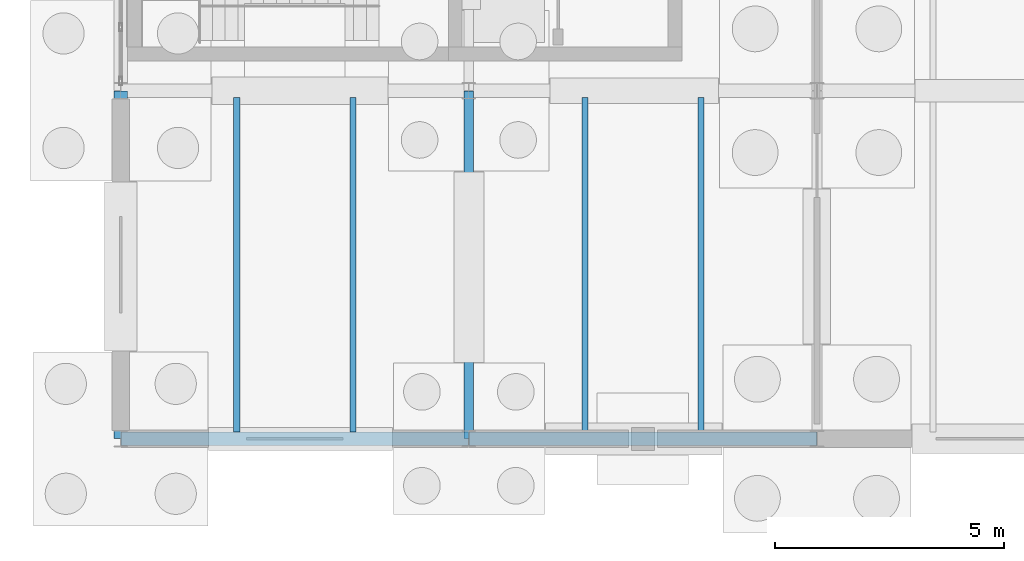
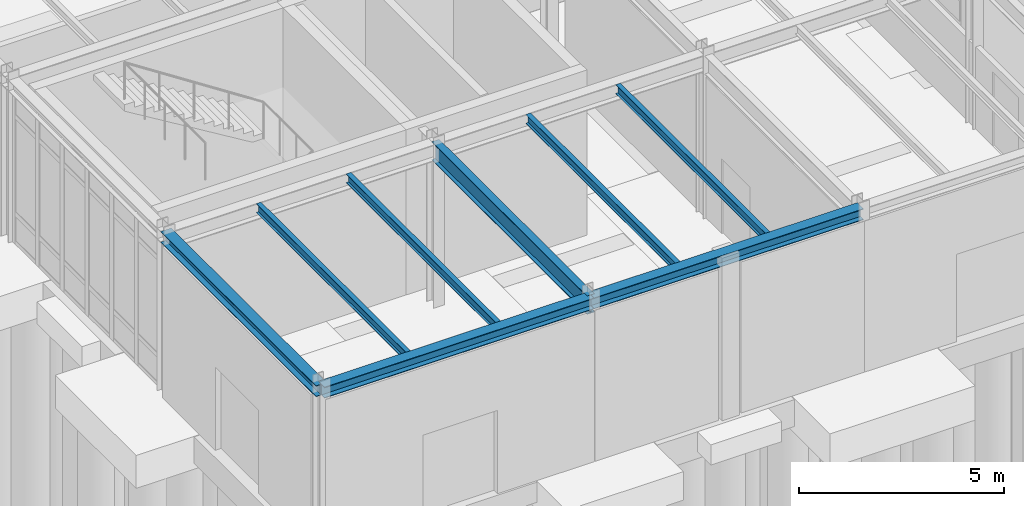
# One storey, part 27 of 109: 8 beams.
"""IFC4 building model written with IfcOpenShell, lengths in metres."""

from ifc_helpers import new_model, si_unit, direction, frame, origin, origin_2d, place, context, subcontext, project, spatial, i_section, extrude, material, material_profile, profile_set, type_object, element, save


model = new_model("IFC4")

# Units and contexts
model_context = context("Model", 3, precision=1e-05, world=origin(), true_north=direction((0.0, 1.0)))
body_context = subcontext(model_context, "Body", "Model", "MODEL_VIEW")
ifc_project = project(units=[si_unit("LENGTHUNIT", "METRE"), si_unit("AREAUNIT", "SQUARE_METRE"), si_unit("VOLUMEUNIT", "CUBIC_METRE"), si_unit("PLANEANGLEUNIT", "RADIAN"), si_unit("MASSUNIT", "GRAM", prefix="KILO")], contexts=[model_context])

# Site, building, storey
site_placement = place(None, origin())
site = spatial("IfcSite", under=ifc_project, at=site_placement, CompositionType="ELEMENT")
building_placement = place(site_placement, origin())
building = spatial("IfcBuilding", under=site, at=building_placement, Name="Montecoro Central Library", CompositionType="ELEMENT")
storey_placement = place(building_placement, origin())
storey = spatial("IfcBuildingStorey", under=building, at=storey_placement, Name="L00", CompositionType="ELEMENT", Elevation=0.0)

# Beams
ifc_material_1 = material(Name="Steel S355J2", Category="steel")
ifc_material_profile_1 = material_profile(ifc_material_1, i_section(OverallWidth=0.2099609375, OverallDepth=0.550048828125, WebThickness=0.010986328125, FlangeThickness=0.01708984375, at=origin_2d()), Name="IPE 550")
ifc_profile_set_1 = profile_set([ifc_material_profile_1], Name="Steel S355J2")
beam_type_1 = type_object("IfcBeamType", Name="BM-G-IPE550", PredefinedType="USERDEFINED", material=ifc_profile_set_1)
beam_placement = place(storey_placement, frame((12.60009765625, 5.0048828125, 4.570068359375), z_axis=(0.0, 1.0, 0.0), x_axis=(-1.0, 0.0, 0.0)))
element("IfcBeam", 1, at=beam_placement, inside=storey, type_object=beam_type_1, Name="V3-L00-BY-2-AB", ObjectType="GIRDER", PredefinedType="USERDEFINED", context=body_context, shape_type="SweptSolid", body=[
    extrude(i_section(OverallWidth=0.2099609375, OverallDepth=0.550048828125, WebThickness=0.010986328125, FlangeThickness=0.01708984375, at=origin_2d()), origin(), (0.0, 0.0, 1.0), 7.590087890625),
])
ifc_material_2 = material(Name="Steel S355", Category="steel")
ifc_material_profile_2 = material_profile(ifc_material_2, i_section(OverallWidth=0.135009765625, OverallDepth=0.27001953125, WebThickness=0.006591796875, FlangeThickness=0.01025390625, at=origin_2d()), Name="IPE 270")
ifc_profile_set_2 = profile_set([ifc_material_profile_2], Name="Steel S355")
beam_type_2 = type_object("IfcBeamType", Name="BM-J-IPE270", PredefinedType="JOIST", material=ifc_profile_set_2)
for number, where, z_axis, x_axis, name in (
    (2, (7.532958984375, 5.14697265625, 4.7099609375), (0.0, 1.0, 0.0), (-1.0, 0.0, 0.0), "V3-L00-JS-12-AB-1"),
    (3, (10.06689453125, 5.14697265625, 4.7099609375), (0.0, 1.0, 0.0), (-1.0, 0.0, 0.0), "V3-L00-JS-12-AB-2"),
    (4, (15.133056640625, 5.14697265625, 4.7099609375), (0.0, 1.0, 0.0), (-1.0, 0.0, 0.0), "V3-L00-JS-23-AB-1"),
    (5, (17.6669921875, 5.14697265625, 4.7099609375), (0.0, 1.0, 0.0), (-1.0, 0.0, 0.0), "V3-L00-JS-23-AB-2"),
):
    element("IfcBeam", number, at=place(storey_placement, frame(where, z_axis=z_axis, x_axis=x_axis)), inside=storey, type_object=beam_type_2, Name=name, PredefinedType="JOIST", context=body_context, shape_type="SweptSolid", body=[
        extrude(i_section(OverallWidth=0.135009765625, OverallDepth=0.27001953125, WebThickness=0.006591796875, FlangeThickness=0.01025390625, at=origin_2d()), origin(), (0.0, 0.0, 1.0), 7.305908203125),
    ])
ifc_material_profile_3 = material_profile(ifc_material_2, i_section(OverallWidth=0.300048828125, OverallDepth=0.330078125, WebThickness=0.009521484375, FlangeThickness=0.0166015625, at=origin_2d()), Name="HEA 340")
ifc_profile_set_3 = profile_set([ifc_material_profile_3], Name="Steel S355")
beam_type_3 = type_object("IfcBeamType", Name="BM-SP-HEA340", PredefinedType="SPANDREL", material=ifc_profile_set_3)
for number, where, z_axis, x_axis, name in (
    (6, (5.0048828125, 5.0, 4.679931640625), (1.0, 0.0, 0.0), (0.0, 1.0, 0.0), "V3-L00-BX-12-A"),
    (7, (12.60498046875, 5.0, 4.679931640625), (1.0, 0.0, 0.0), (0.0, 1.0, 0.0), "V3-L00-BX-23-A"),
    (8, (5.0, 5.0048828125, 4.679931640625), (0.0, 1.0, 0.0), (-1.0, 0.0, 0.0), "V3-L00-BY-1-AB"),
):
    element("IfcBeam", number, at=place(storey_placement, frame(where, z_axis=z_axis, x_axis=x_axis)), inside=storey, type_object=beam_type_3, Name=name, PredefinedType="SPANDREL", context=body_context, shape_type="SweptSolid", body=[
        extrude(i_section(OverallWidth=0.300048828125, OverallDepth=0.330078125, WebThickness=0.009521484375, FlangeThickness=0.0166015625, at=origin_2d()), origin(), (0.0, 0.0, 1.0), 7.590087890625),
    ])

save(model, "model.ifc")
